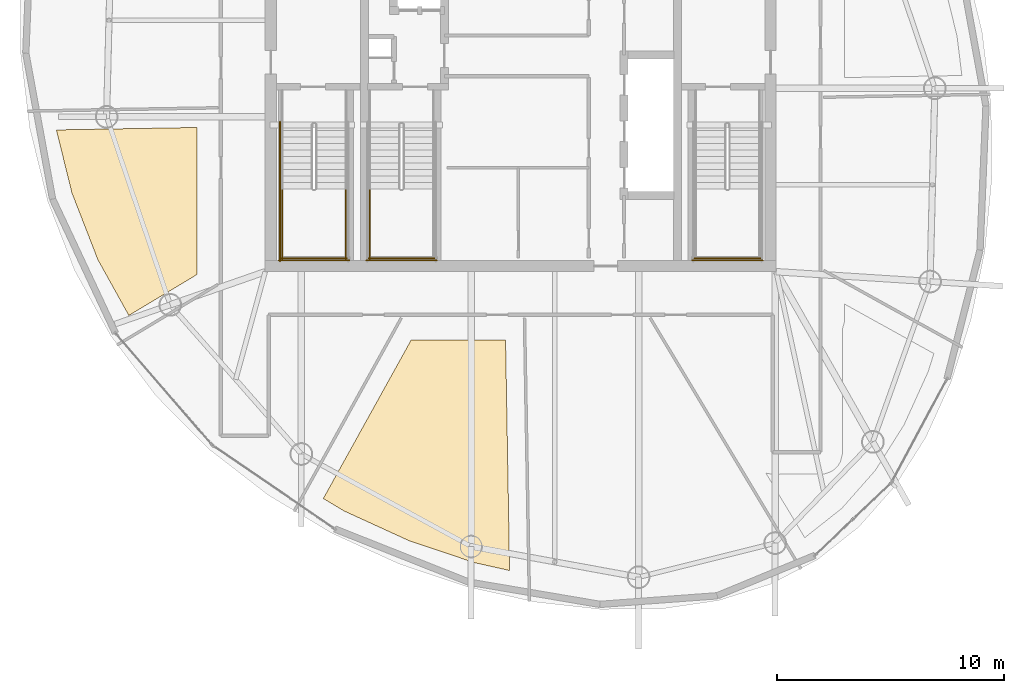
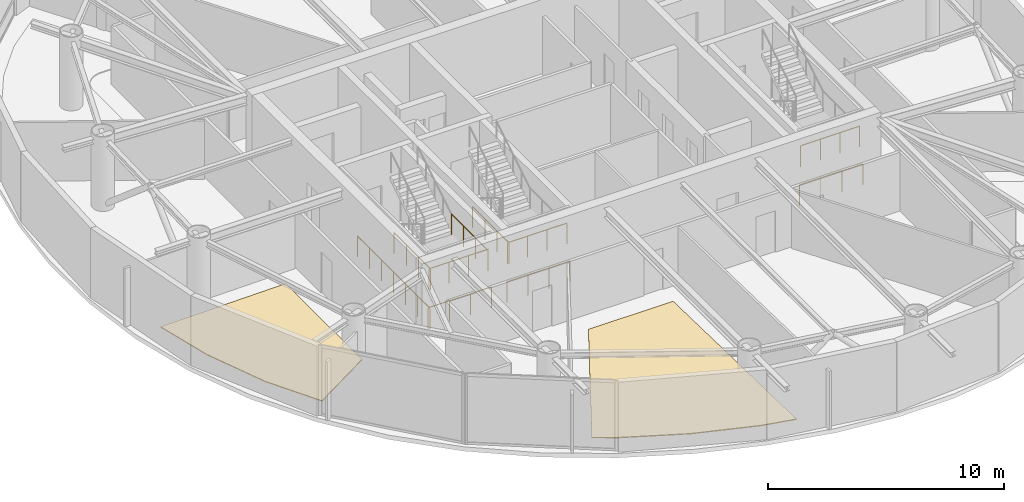
# One storey, part 14 of 16: 10 railings, 2 coverings.
"""IFC4 building model written with IfcOpenShell, lengths in metres."""

from ifc_helpers import new_model, si_unit, direction, frame, origin, origin_2d, place, context, subcontext, project, spatial, polyline, circle, outline, extrude, material, layer, layer_set, type_object, element, save


model = new_model("IFC4")

# Units and contexts
model_context = context("Model", 3, precision=1e-05, world=origin(), true_north=direction((0.0, 1.0)))
body_context = subcontext(model_context, "Body", "Model", "MODEL_VIEW")
ifc_project = project(units=[si_unit("LENGTHUNIT", "METRE"), si_unit("AREAUNIT", "SQUARE_METRE"), si_unit("VOLUMEUNIT", "CUBIC_METRE"), si_unit("PLANEANGLEUNIT", "RADIAN"), si_unit("MASSUNIT", "GRAM", prefix="KILO")], contexts=[model_context])

# Site, building, storey
site_placement = place(None, origin())
site = spatial("IfcSite", under=ifc_project, at=site_placement, CompositionType="ELEMENT")
building_placement = place(site_placement, origin())
building = spatial("IfcBuilding", under=site, at=building_placement, Name="Bramvorn Convention Spire", CompositionType="ELEMENT")
storey_placement = place(building_placement, frame((0.0, 0.0, 261.300048828125)))
storey = spatial("IfcBuildingStorey", under=building, at=storey_placement, Name="L66", CompositionType="ELEMENT", Elevation=261.300048828125)

# Coverings
ifc_material_1 = material(Name="Calcium-Sulphate Raised Access Office Floor", Category="steel")
ifc_layer = layer(ifc_material_1, 0.044921875)
ifc_layer_set = layer_set([ifc_layer], Name="Calcium-Sulphate Raised Access Office Floor - FLR-RAISED-45")
covering_type = type_object("IfcCoveringType", Name="FLR-RAISED-45", PredefinedType="FLOORING", material=ifc_layer_set)
covering_1_placement = place(storey_placement, origin())
element("IfcCovering", 1, at=covering_1_placement, inside=storey, type_object=covering_type, Name="L66 Arbitration Meeting Room 1 7 raised floor finish", PredefinedType="FLOORING", context=body_context, shape_type="SweptSolid", body=[
    extrude(outline(polyline([(18.23681640625, 22.022216796875), (19.37939453125, 19.080810546875), (20.743408203125, 16.622802734375), (23.75, 18.429443359375), (23.75, 24.901123046875), (17.5546875, 24.79296875), (18.23681640625, 22.022216796875)])), origin(), (0.0, 0.0, 1.0), 0.044921875),
])
covering_2_placement = place(storey_placement, origin())
element("IfcCovering", 2, at=covering_2_placement, inside=storey, type_object=covering_type, Name="L66 Case File Store 9 raised floor finish", PredefinedType="FLOORING", context=body_context, shape_type="SweptSolid", body=[
    extrude(outline(polyline([(35.948486328125, 5.74169921875), (37.509521484375, 5.390869140625), (37.332275390625, 15.550048828125), (33.17919921875, 15.550048828125), (29.306640625, 8.5634765625), (30.228271484375, 8.010498046875), (33.06591796875, 6.71142578125), (35.948486328125, 5.74169921875)])), origin(), (0.0, 0.0, 1.0), 0.044921875),
])

# Railings
ifc_material_2 = material(Name="Painted Steel Balustrade & Guardrail", Category="steel")
railing_type = type_object("IfcRailingType", Name="RL-STAIR-GUARD-1100", PredefinedType="GUARDRAIL", material=ifc_material_2)
for number, where, name in (
    (3, (27.5, 22.199951171875, 1.925048828125), "L66 ST1 stair guard 3"),
    (4, (30.300048828125, 22.199951171875, 1.925048828125), "L66 ST1 stair guard 4"),
):
    element("IfcRailing", number, at=place(storey_placement, frame(where)), inside=storey, type_object=railing_type, Name=name, PredefinedType="GUARDRAIL", context=body_context, shape_type="SweptSolid", body=[
        extrude(circle(Radius=0.02392578125, at=origin_2d()), frame((0.0, 0.0, 1.076171875), z_axis=(0.0, -1.0, 0.0), x_axis=(1.0, 0.0, 0.0)), (0.0, 0.0, 1.0), 3.099853515625),
        extrude(circle(Radius=0.02099609375, at=origin_2d()), origin(), (0.0, 0.0, 1.0), 1.052001953125),
        extrude(circle(Radius=0.02099609375, at=origin_2d()), frame((0.0, -1.033203125, 0.0)), (0.0, 0.0, 1.0), 1.052001953125),
        extrude(circle(Radius=0.02099609375, at=origin_2d()), frame((0.0, -2.066650390625, 0.0)), (0.0, 0.0, 1.0), 1.052001953125),
        extrude(circle(Radius=0.02099609375, at=origin_2d()), frame((0.0, -3.099853515625, 0.0)), (0.0, 0.0, 1.0), 1.052001953125),
    ])
railing_1_placement = place(storey_placement, frame((27.449951171875, 19.14990234375, 1.925048828125)))
element("IfcRailing", 5, at=railing_1_placement, inside=storey, type_object=railing_type, Name="L66 ST1 stair guard 5", PredefinedType="GUARDRAIL", context=body_context, shape_type="SweptSolid", body=[
    extrude(circle(Radius=0.02392578125, at=origin_2d()), frame((0.0, 0.0, 1.076171875), z_axis=(1.0, 0.0, 0.0), x_axis=(0.0, 1.0, 0.0)), (0.0, 0.0, 1.0), 2.900146484375),
    extrude(circle(Radius=0.02099609375, at=origin_2d()), origin(), (0.0, 0.0, 1.0), 1.052001953125),
    extrude(circle(Radius=0.02099609375, at=origin_2d()), frame((0.966796875, 0.0, 0.0)), (0.0, 0.0, 1.0), 1.052001953125),
    extrude(circle(Radius=0.02099609375, at=origin_2d()), frame((1.933349609375, 0.0, 0.0)), (0.0, 0.0, 1.0), 1.052001953125),
    extrude(circle(Radius=0.02099609375, at=origin_2d()), frame((2.900146484375, 0.0, 0.0)), (0.0, 0.0, 1.0), 1.052001953125),
])
railing_2_placement = place(storey_placement, frame((27.39990234375, 25.14990234375, 0.0)))
element("IfcRailing", 6, at=railing_2_placement, inside=storey, type_object=railing_type, Name="L66 ST1 stair guard 10", PredefinedType="GUARDRAIL", context=body_context, shape_type="SweptSolid", body=[
    extrude(circle(Radius=0.02392578125, at=origin_2d()), frame((0.0, 0.0, 1.076171875), z_axis=(0.0, -1.0, 0.0), x_axis=(1.0, 0.0, 0.0)), (0.0, 0.0, 1.0), 6.14990234375),
    extrude(circle(Radius=0.02099609375, at=origin_2d()), origin(), (0.0, 0.0, 1.0), 1.052001953125),
    extrude(circle(Radius=0.02099609375, at=origin_2d()), frame((0.0, -1.02490234375, 0.0)), (0.0, 0.0, 1.0), 1.052001953125),
    extrude(circle(Radius=0.02099609375, at=origin_2d()), frame((0.0, -2.050048828125, 0.0)), (0.0, 0.0, 1.0), 1.052001953125),
    extrude(circle(Radius=0.02099609375, at=origin_2d()), frame((0.0, -3.074951171875, 0.0)), (0.0, 0.0, 1.0), 1.052001953125),
    extrude(circle(Radius=0.02099609375, at=origin_2d()), frame((0.0, -4.099853515625, 0.0)), (0.0, 0.0, 1.0), 1.052001953125),
    extrude(circle(Radius=0.02099609375, at=origin_2d()), frame((0.0, -5.125, 0.0)), (0.0, 0.0, 1.0), 1.052001953125),
    extrude(circle(Radius=0.02099609375, at=origin_2d()), frame((0.0, -6.14990234375, 0.0)), (0.0, 0.0, 1.0), 1.052001953125),
])
railing_3_placement = place(storey_placement, frame((27.35009765625, 19.050048828125, 0.0)))
element("IfcRailing", 7, at=railing_3_placement, inside=storey, type_object=railing_type, Name="L66 ST1 stair guard 12", PredefinedType="GUARDRAIL", context=body_context, shape_type="SweptSolid", body=[
    extrude(circle(Radius=0.02392578125, at=origin_2d()), frame((0.0, 0.0, 1.076171875), z_axis=(1.0, 0.0, 0.0), x_axis=(0.0, 1.0, 0.0)), (0.0, 0.0, 1.0), 3.099853515625),
    extrude(circle(Radius=0.02099609375, at=origin_2d()), origin(), (0.0, 0.0, 1.0), 1.052001953125),
    extrude(circle(Radius=0.02099609375, at=origin_2d()), frame((1.033203125, 0.0, 0.0)), (0.0, 0.0, 1.0), 1.052001953125),
    extrude(circle(Radius=0.02099609375, at=origin_2d()), frame((2.066650390625, 0.0, 0.0)), (0.0, 0.0, 1.0), 1.052001953125),
    extrude(circle(Radius=0.02099609375, at=origin_2d()), frame((3.099853515625, 0.0, 0.0)), (0.0, 0.0, 1.0), 1.052001953125),
])
railing_4_placement = place(storey_placement, frame((45.64990234375, 19.14990234375, 1.925048828125)))
element("IfcRailing", 8, at=railing_4_placement, inside=storey, type_object=railing_type, Name="L66 ST2 stair guard 5", PredefinedType="GUARDRAIL", context=body_context, shape_type="SweptSolid", body=[
    extrude(circle(Radius=0.02392578125, at=origin_2d()), frame((0.0, 0.0, 1.076171875), z_axis=(1.0, 0.0, 0.0), x_axis=(0.0, 1.0, 0.0)), (0.0, 0.0, 1.0), 2.900146484375),
    extrude(circle(Radius=0.02099609375, at=origin_2d()), origin(), (0.0, 0.0, 1.0), 1.052001953125),
    extrude(circle(Radius=0.02099609375, at=origin_2d()), frame((0.966796875, 0.0, 0.0)), (0.0, 0.0, 1.0), 1.052001953125),
    extrude(circle(Radius=0.02099609375, at=origin_2d()), frame((1.933349609375, 0.0, 0.0)), (0.0, 0.0, 1.0), 1.052001953125),
    extrude(circle(Radius=0.02099609375, at=origin_2d()), frame((2.900146484375, 0.0, 0.0)), (0.0, 0.0, 1.0), 1.052001953125),
])
railing_5_placement = place(storey_placement, frame((45.550048828125, 19.050048828125, 0.0)))
element("IfcRailing", 9, at=railing_5_placement, inside=storey, type_object=railing_type, Name="L66 ST2 stair guard 12", PredefinedType="GUARDRAIL", context=body_context, shape_type="SweptSolid", body=[
    extrude(circle(Radius=0.02392578125, at=origin_2d()), frame((0.0, 0.0, 1.076171875), z_axis=(1.0, 0.0, 0.0), x_axis=(0.0, 1.0, 0.0)), (0.0, 0.0, 1.0), 3.099853515625),
    extrude(circle(Radius=0.02099609375, at=origin_2d()), origin(), (0.0, 0.0, 1.0), 1.052001953125),
    extrude(circle(Radius=0.02099609375, at=origin_2d()), frame((1.033203125, 0.0, 0.0)), (0.0, 0.0, 1.0), 1.052001953125),
    extrude(circle(Radius=0.02099609375, at=origin_2d()), frame((2.066650390625, 0.0, 0.0)), (0.0, 0.0, 1.0), 1.052001953125),
    extrude(circle(Radius=0.02099609375, at=origin_2d()), frame((3.099853515625, 0.0, 0.0)), (0.0, 0.0, 1.0), 1.052001953125),
])
railing_6_placement = place(storey_placement, frame((31.35009765625, 22.199951171875, 1.925048828125)))
element("IfcRailing", 10, at=railing_6_placement, inside=storey, type_object=railing_type, Name="L66 ST3 stair guard 3", PredefinedType="GUARDRAIL", context=body_context, shape_type="SweptSolid", body=[
    extrude(circle(Radius=0.02392578125, at=origin_2d()), frame((0.0, 0.0, 1.076171875), z_axis=(0.0, -1.0, 0.0), x_axis=(1.0, 0.0, 0.0)), (0.0, 0.0, 1.0), 3.099853515625),
    extrude(circle(Radius=0.02099609375, at=origin_2d()), origin(), (0.0, 0.0, 1.0), 1.052001953125),
    extrude(circle(Radius=0.02099609375, at=origin_2d()), frame((0.0, -1.033203125, 0.0)), (0.0, 0.0, 1.0), 1.052001953125),
    extrude(circle(Radius=0.02099609375, at=origin_2d()), frame((0.0, -2.066650390625, 0.0)), (0.0, 0.0, 1.0), 1.052001953125),
    extrude(circle(Radius=0.02099609375, at=origin_2d()), frame((0.0, -3.099853515625, 0.0)), (0.0, 0.0, 1.0), 1.052001953125),
])
railing_7_placement = place(storey_placement, frame((31.300048828125, 19.14990234375, 1.925048828125)))
element("IfcRailing", 11, at=railing_7_placement, inside=storey, type_object=railing_type, Name="L66 ST3 stair guard 5", PredefinedType="GUARDRAIL", context=body_context, shape_type="SweptSolid", body=[
    extrude(circle(Radius=0.02392578125, at=origin_2d()), frame((0.0, 0.0, 1.076171875), z_axis=(1.0, 0.0, 0.0), x_axis=(0.0, 1.0, 0.0)), (0.0, 0.0, 1.0), 2.89990234375),
    extrude(circle(Radius=0.02099609375, at=origin_2d()), origin(), (0.0, 0.0, 1.0), 1.052001953125),
    extrude(circle(Radius=0.02099609375, at=origin_2d()), frame((0.966552734375, 0.0, 0.0)), (0.0, 0.0, 1.0), 1.052001953125),
    extrude(circle(Radius=0.02099609375, at=origin_2d()), frame((1.933349609375, 0.0, 0.0)), (0.0, 0.0, 1.0), 1.052001953125),
    extrude(circle(Radius=0.02099609375, at=origin_2d()), frame((2.89990234375, 0.0, 0.0)), (0.0, 0.0, 1.0), 1.052001953125),
])
railing_8_placement = place(storey_placement, frame((31.199951171875, 19.050048828125, 0.0)))
element("IfcRailing", 12, at=railing_8_placement, inside=storey, type_object=railing_type, Name="L66 ST3 stair guard 12", PredefinedType="GUARDRAIL", context=body_context, shape_type="SweptSolid", body=[
    extrude(circle(Radius=0.02392578125, at=origin_2d()), frame((0.0, 0.0, 1.076171875), z_axis=(1.0, 0.0, 0.0), x_axis=(0.0, 1.0, 0.0)), (0.0, 0.0, 1.0), 3.10009765625),
    extrude(circle(Radius=0.02099609375, at=origin_2d()), origin(), (0.0, 0.0, 1.0), 1.052001953125),
    extrude(circle(Radius=0.02099609375, at=origin_2d()), frame((1.033447265625, 0.0, 0.0)), (0.0, 0.0, 1.0), 1.052001953125),
    extrude(circle(Radius=0.02099609375, at=origin_2d()), frame((2.066650390625, 0.0, 0.0)), (0.0, 0.0, 1.0), 1.052001953125),
    extrude(circle(Radius=0.02099609375, at=origin_2d()), frame((3.10009765625, 0.0, 0.0)), (0.0, 0.0, 1.0), 1.052001953125),
])

save(model, "model.ifc")
